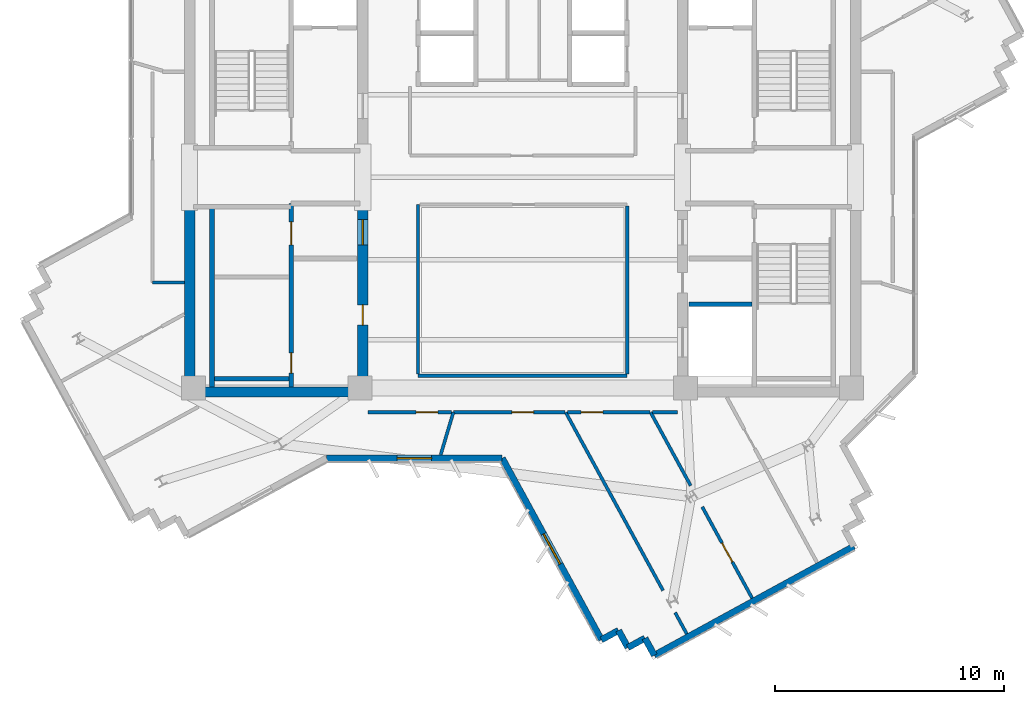
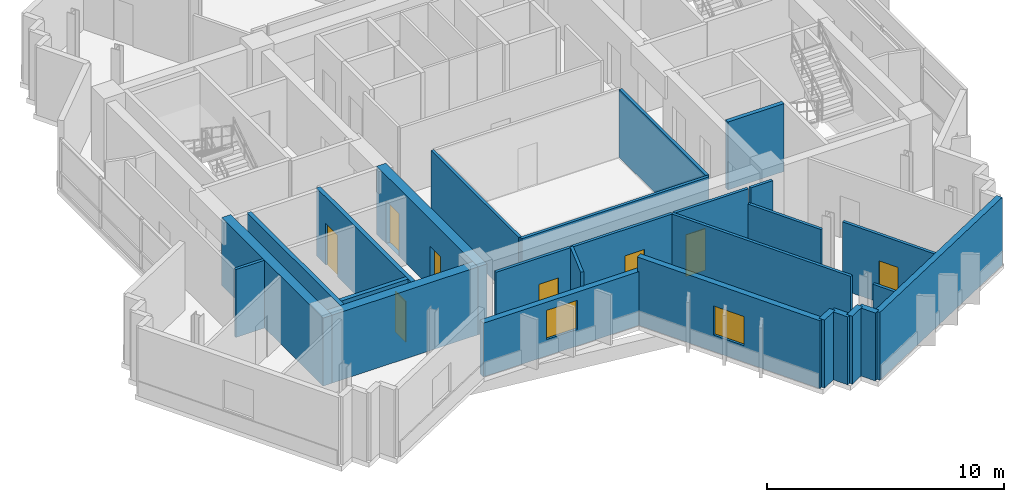
# One storey, part 5 of 13: 27 walls, 8 doors, 2 windows, 10 openings.
"""IFC4 building model written with IfcOpenShell, lengths in metres."""

import ifcopenshell
import ifcopenshell.guid

model = None  # the IFC model being written
_history = None  # IfcOwnerHistory: only IFC2X3 demands one
_inside = {}  # id of a spatial element -> (the spatial element, [elements in it])
_under = {}  # id of a project, library or spatial element -> (it, [spatial elements below it])
_declared = {}  # id of a project -> (the project, [libraries it declares])
_typed = {}  # id of a type object -> (the type object, [elements of that type])
_made_of = {}  # id of a material, layer set ... -> (it, [elements and type objects made of it])


def new_model(schema):
    """Start an empty IFC model of exactly this schema.

    Asked for "IFC4X3", IfcOpenShell would pick the latest addendum, in which some entities
    have other attributes; the version numbers below select the first issue.
    IFC2X3 requires an IfcOwnerHistory on every rooted entity: one is made here for all.
    """
    global model, _history
    if schema == "IFC4X3":
        model = ifcopenshell.file(schema_version=(4, 3, 0, 0))
    else:
        model = ifcopenshell.file(schema=schema)
    _inside.clear()
    _under.clear()
    _declared.clear()
    _typed.clear()
    _made_of.clear()
    _history = None
    if model.schema == "IFC2X3":
        org = make("IfcOrganization", Name="unknown")
        user = make(
            "IfcPersonAndOrganization",
            ThePerson=make("IfcPerson", FamilyName="unknown"),
            TheOrganization=org,
        )
        app = make(
            "IfcApplication",
            ApplicationDeveloper=org,
            Version="unknown",
            ApplicationFullName="unknown",
            ApplicationIdentifier="unknown",
        )
        _history = make(
            "IfcOwnerHistory",
            OwningUser=user,
            OwningApplication=app,
            ChangeAction="ADDED",
            CreationDate=0,
        )
    return model


def make(cls, **values):
    """One entity of the class cls with the attributes given. An attribute that is None is left unset."""
    return model.create_entity(
        cls, **{name: value for name, value in values.items() if value is not None}
    )


def rooted(cls, **values):
    """An entity with a GlobalId (a new one), such as an element, a storey or a relation."""
    return make(cls, GlobalId=ifcopenshell.guid.new(), OwnerHistory=_history, **values)


def si_unit(unit_type, name, prefix=None):
    """IfcSIUnit, for example si_unit("LENGTHUNIT", "METRE", prefix="MILLI")."""
    return make("IfcSIUnit", UnitType=unit_type, Prefix=prefix, Name=name)


def assignment(units):
    """IfcUnitAssignment: the units of a project."""
    return None if units is None else make("IfcUnitAssignment", Units=units)


def point(xyz):
    """IfcCartesianPoint."""
    return None if xyz is None else make("IfcCartesianPoint", Coordinates=xyz)


def direction(xyz):
    """IfcDirection."""
    return None if xyz is None else make("IfcDirection", DirectionRatios=xyz)


def frame(location, z_axis=None, x_axis=None):
    """IfcAxis2Placement3D, a coordinate frame: its origin and axes. An axis left out is left unset."""
    return make(
        "IfcAxis2Placement3D",
        Location=point(location),
        Axis=direction(z_axis),
        RefDirection=direction(x_axis),
    )


def frame_2d(location, x_axis=None):
    """IfcAxis2Placement2D, a coordinate frame in the plane: its origin and x axis."""
    return make(
        "IfcAxis2Placement2D", Location=point(location), RefDirection=direction(x_axis)
    )


def origin():
    """The frame at (0, 0, 0) with its axes left unset."""
    return frame((0.0, 0.0, 0.0))


def place(relative_to, where):
    """IfcLocalPlacement: puts the frame where relative to a parent placement (None: the world)."""
    return make(
        "IfcLocalPlacement", PlacementRelTo=relative_to, RelativePlacement=where
    )


def context(
    kind, dimensions, precision=None, world=None, true_north=None, identifier=None
):
    """IfcGeometricRepresentationContext, for example the 3D "Model" context."""
    return make(
        "IfcGeometricRepresentationContext",
        ContextIdentifier=identifier,
        ContextType=kind,
        CoordinateSpaceDimension=dimensions,
        Precision=precision,
        WorldCoordinateSystem=world,
        TrueNorth=true_north,
    )


def subcontext(parent, identifier, kind, view, scale=None):
    """IfcGeometricRepresentationSubContext, for example "Body" below "Model"."""
    return make(
        "IfcGeometricRepresentationSubContext",
        ContextIdentifier=identifier,
        ContextType=kind,
        ParentContext=parent,
        TargetScale=scale,
        TargetView=view,
    )


def project(units=None, contexts=None):
    """IfcProject with its units and contexts."""
    return rooted(
        "IfcProject",
        Name="project",
        RepresentationContexts=contexts,
        UnitsInContext=assignment(units),
    )


def spatial(cls, under=None, at=None, **own):
    """A site, building, storey or space (cls), placed at a placement, below another one or the project."""
    s = rooted(cls, ObjectPlacement=at, **own)
    if under is not None:
        _under.setdefault(under.id(), (under, []))[1].append(s)
    return s


def profile(cls, at=None, kind="AREA", **sizes):
    """A parametric profile (cls). Its sizes go by their IFC names, for example OverallWidth=200.0."""
    return make(cls, ProfileType=kind, Position=at, **sizes)


def rectangle(**sizes):
    """IfcRectangleProfileDef."""
    return profile("IfcRectangleProfileDef", **sizes)


def extrude(swept, where, along, depth):
    """IfcExtrudedAreaSolid: the profile swept, set in the frame where, extruded along a direction by depth."""
    return make(
        "IfcExtrudedAreaSolid",
        SweptArea=swept,
        Position=where,
        ExtrudedDirection=direction(along),
        Depth=depth,
    )


def shape(context_of_items, identifier, shape_type, items):
    """IfcShapeRepresentation: the items that make up one representation, for example the "Body"."""
    return make(
        "IfcShapeRepresentation",
        ContextOfItems=context_of_items,
        RepresentationIdentifier=identifier,
        RepresentationType=shape_type,
        Items=items,
    )


def source(mapping_origin, context_of_items, identifier, shape_type, items):
    """IfcRepresentationMap: a shape defined once, which mapped items show again and again."""
    return make(
        "IfcRepresentationMap",
        MappingOrigin=mapping_origin,
        MappedRepresentation=shape(context_of_items, identifier, shape_type, items),
    )


def transform(
    local_origin,
    x_axis=None,
    y_axis=None,
    z_axis=None,
    scale=None,
    scale2=None,
    scale3=None,
    uniform=True,
):
    """IfcCartesianTransformationOperator3D, or its non-uniform kind. x_axis, y_axis, z_axis: its Axis1, 2, 3."""
    if uniform:
        return make(
            "IfcCartesianTransformationOperator3D",
            Axis1=direction(x_axis),
            Axis2=direction(y_axis),
            LocalOrigin=point(local_origin),
            Scale=scale,
            Axis3=direction(z_axis),
        )
    return make(
        "IfcCartesianTransformationOperator3DnonUniform",
        Axis1=direction(x_axis),
        Axis2=direction(y_axis),
        LocalOrigin=point(local_origin),
        Scale=scale,
        Axis3=direction(z_axis),
        Scale2=scale2,
        Scale3=scale3,
    )


def mapped(mapping_source, mapping_target):
    """IfcMappedItem: shows the shape of a source again, moved by a transform."""
    return make(
        "IfcMappedItem", MappingSource=mapping_source, MappingTarget=mapping_target
    )


def material(Name=None, Category=None):
    """IfcMaterial."""
    return make("IfcMaterial", Name=Name, Category=Category)


def layer(
    of_material, thickness, ventilated=None, Name=None, Category=None, Priority=None
):
    """IfcMaterialLayer: one layer of a wall or slab, of a material (None: an air gap)."""
    return make(
        "IfcMaterialLayer",
        Material=of_material,
        LayerThickness=thickness,
        IsVentilated=ventilated,
        Name=Name,
        Category=Category,
        Priority=Priority,
    )


def layer_set(layers, Name=None):
    """IfcMaterialLayerSet."""
    return make("IfcMaterialLayerSet", MaterialLayers=layers, LayerSetName=Name)


def made_of(thing, what):
    """Note that an element or type object is made of a material, layer set ...; save() writes the relation."""
    if what is not None:
        _made_of.setdefault(what.id(), (what, []))[1].append(thing)
    return thing


def type_object(cls, material=None, **own):
    """A type object (cls), such as IfcWallType, which elements share."""
    return made_of(rooted(cls, **own), material)


def element(
    cls,
    number,
    at=None,
    inside=None,
    cuts=None,
    type_object=None,
    material=None,
    context=None,
    identifier="Body",
    shape_type=None,
    held_by="IfcProductDefinitionShape",
    body=None,
    shapes=None,
    **own,
):
    """One element of the class cls, such as IfcWall. Its Tag is "e" and its number.

    at: its placement. inside: the storey or other place that contains it. cuts: it is an
    opening in that element (IfcRelVoidsElement). A single representation is given by context,
    identifier, shape_type and body (its items); several are given by shapes. held_by: the class
    of the entity that holds the representations. save() writes the other relations.
    """
    e = rooted(cls, Tag="e%d" % number, ObjectPlacement=at, **own)
    if body is not None:
        shapes = [shape(context, identifier, shape_type, body)]
    if shapes is not None:
        e.Representation = make(held_by, Representations=shapes)
    if inside is not None:
        _inside.setdefault(inside.id(), (inside, []))[1].append(e)
    if cuts is not None:
        rooted(
            "IfcRelVoidsElement", RelatingBuildingElement=cuts, RelatedOpeningElement=e
        )
    if type_object is not None:
        _typed.setdefault(type_object.id(), (type_object, []))[1].append(e)
    return made_of(e, material)


def fill(opening, filler):
    """IfcRelFillsElement: the door or window that sits in an opening."""
    return rooted(
        "IfcRelFillsElement",
        RelatingOpeningElement=opening,
        RelatedBuildingElement=filler,
    )


def aggregate(whole, parts):
    """IfcRelAggregates: a whole, such as a stair, and the parts it consists of."""
    return rooted("IfcRelAggregates", RelatingObject=whole, RelatedObjects=parts)


def save(model, path):
    """Write the relations noted so far, then the file.

    IfcRelAggregates (storeys below a building ...), IfcRelContainedInSpatialStructure (elements
    in a storey), IfcRelDefinesByType, IfcRelAssociatesMaterial and IfcRelDeclares: one each for
    every whole, place, type object, material and project.
    """
    for whole, parts in _under.values():
        aggregate(whole, parts)
    for where, things in _inside.values():
        rooted(
            "IfcRelContainedInSpatialStructure",
            RelatedElements=things,
            RelatingStructure=where,
        )
    for kind, things in _typed.values():
        rooted("IfcRelDefinesByType", RelatedObjects=things, RelatingType=kind)
    for what, things in _made_of.values():
        rooted("IfcRelAssociatesMaterial", RelatedObjects=things, RelatingMaterial=what)
    for by, libraries in _declared.values():
        rooted("IfcRelDeclares", RelatingContext=by, RelatedDefinitions=libraries)
    model.write(path)


model = new_model("IFC4")

# Units and contexts
model_context = context("Model", 3, precision=1e-05, world=origin(), true_north=direction((0.0, 1.0)))
body_context = subcontext(model_context, "Body", "Model", "MODEL_VIEW")
ifc_project = project(units=[si_unit("LENGTHUNIT", "METRE"), si_unit("AREAUNIT", "SQUARE_METRE"), si_unit("VOLUMEUNIT", "CUBIC_METRE"), si_unit("PLANEANGLEUNIT", "RADIAN"), si_unit("MASSUNIT", "GRAM", prefix="KILO")], contexts=[model_context])

# Site, building, storey
site_placement = place(None, origin())
site = spatial("IfcSite", under=ifc_project, at=site_placement, CompositionType="ELEMENT")
building_placement = place(site_placement, origin())
building = spatial("IfcBuilding", under=site, at=building_placement, Name="Zahravan Cultural Tower", CompositionType="ELEMENT")
storey_placement = place(building_placement, frame((0.0, 0.0, 254.10009765625)))
storey = spatial("IfcBuildingStorey", under=building, at=storey_placement, Name="L60", CompositionType="ELEMENT", Elevation=254.10009765625)

# Wall, openings, doors
ifc_material_1 = material(Name="Concrete C50/60", Category="concrete")
ifc_layer_1 = layer(ifc_material_1, 0.449951171875)
ifc_layer_set_1 = layer_set([ifc_layer_1], Name="Concrete C50/60")
wall_type_1 = type_object("IfcWallType", Name="CW-SHEAR-450-C50", PredefinedType="SHEAR", material=ifc_layer_set_1)
wall_1_placement = place(storey_placement, frame((29.02490234375, 17.39990234375, 0.0), z_axis=(0.0, 0.0, 1.0), x_axis=(0.0, 1.0, 0.0)))
wall_1 = element("IfcWall", 1, at=wall_1_placement, inside=storey, type_object=wall_type_1, Name="L60 Core Shear Wall CW-W-ES-L60", PredefinedType="SHEAR", context=body_context, shape_type="SweptSolid", body=[
    extrude(rectangle(XDim=8.550048828125, YDim=0.449951171875, at=frame_2d((4.27490234375, 0.0))), origin(), (0.0, 0.0, 1.0), 3.5),
])
opening_1_placement = place(wall_1_placement, frame((6.64990234375, 0.0, 0.0)))
opening_1 = element("IfcOpeningElement", 2, at=opening_1_placement, cuts=wall_1, Name="Opening D-L60-08", PredefinedType="OPENING", context=body_context, shape_type="SweptSolid", body=[
    extrude(rectangle(XDim=1.10009765625, YDim=2.199951171875, at=frame_2d((0.550048828125, 1.10009765625))), frame((0.0, 0.23486328125, 0.0), z_axis=(0.0, -1.0, 0.0), x_axis=(1.0, 0.0, 0.0)), (0.0, 0.0, 1.0), 0.469970703125),
])
opening_2_placement = place(wall_1_placement, frame((3.14990234375, 0.0, 0.0)))
opening_2 = element("IfcOpeningElement", 3, at=opening_2_placement, cuts=wall_1, Name="Opening D-L60-10", PredefinedType="OPENING", context=body_context, shape_type="SweptSolid", body=[
    extrude(rectangle(XDim=0.8798828125, YDim=2.10009765625, at=frame_2d((0.43994140625, 1.050048828125))), frame((0.0, 0.23486328125, 0.0), z_axis=(0.0, -1.0, 0.0), x_axis=(1.0, 0.0, 0.0)), (0.0, 0.0, 1.0), 0.469970703125),
])
ifc_material_2 = material(Name="Steel ASTM A572 Grade 50", Category="steel")
door_type_1 = type_object("IfcDoorType", Name="DR-LOBBY-1100", OperationType="NOTDEFINED", PredefinedType="DOOR", material=ifc_material_2)
shared_shape_1 = source(origin(), body_context, "Body", "SweptSolid", [
    extrude(rectangle(XDim=1.10009765625, YDim=2.199951171875, at=frame_2d((0.550048828125, 1.10009765625))), frame((0.0, 0.02490234375, 0.0), z_axis=(0.0, -1.0, 0.0), x_axis=(1.0, 0.0, 0.0)), (0.0, 0.0, 1.0), 0.050048828125),
])
door_1_placement = place(opening_1_placement, origin())
door_1 = element("IfcDoor", 4, at=door_1_placement, inside=storey, type_object=door_type_1, Name="L60 Door D-L60-08", OperationType="SINGLE_SWING_RIGHT", OverallHeight=2.199951171875, OverallWidth=1.10009765625, PredefinedType="DOOR", context=body_context, shape_type="MappedRepresentation", body=[
    mapped(shared_shape_1, transform((0.0, 0.0, 0.0), x_axis=(1.0, 0.0, 0.0), y_axis=(0.0, 1.0, 0.0), z_axis=(0.0, 0.0, 1.0), scale=1.0)),
])
fill(opening_1, door_1)
door_type_2 = type_object("IfcDoorType", Name="DR-SVC-880", OperationType="NOTDEFINED", PredefinedType="DOOR", material=ifc_material_2)
shared_shape_2 = source(origin(), body_context, "Body", "SweptSolid", [
    extrude(rectangle(XDim=0.8798828125, YDim=2.10009765625, at=frame_2d((0.43994140625, 1.050048828125))), frame((0.0, 0.02490234375, 0.0), z_axis=(0.0, -1.0, 0.0), x_axis=(1.0, 0.0, 0.0)), (0.0, 0.0, 1.0), 0.050048828125),
])
door_2_placement = place(opening_2_placement, origin())
door_2 = element("IfcDoor", 5, at=door_2_placement, inside=storey, type_object=door_type_2, Name="L60 Door D-L60-10", OperationType="SINGLE_SWING_RIGHT", OverallHeight=2.10009765625, OverallWidth=0.8798828125, PredefinedType="DOOR", context=body_context, shape_type="MappedRepresentation", body=[
    mapped(shared_shape_2, transform((0.0, 0.0, 0.0), x_axis=(1.0, 0.0, 0.0), y_axis=(0.0, 1.0, 0.0), z_axis=(0.0, 0.0, 1.0), scale=1.0)),
])
fill(opening_2, door_2)

# Wall, opening, window
ifc_material_3 = material(Name="Precast concrete C40/50", Category="concrete")
ifc_layer_2 = layer(ifc_material_3, 0.280029296875)
ifc_layer_set_2 = layer_set([ifc_layer_2], Name="Precast concrete C40/50")
wall_type_2 = type_object("IfcWallType", Name="EW-TC-280", PredefinedType="SOLIDWALL", material=ifc_layer_set_2)
wall_2_placement = place(storey_placement, frame((39.437744140625, 6.817138671875, 0.0), z_axis=(0.0, 0.0, 1.0), x_axis=(-0.479475345647, 0.877555350344, 0.0)))
wall_2 = element("IfcWall", 6, at=wall_2_placement, inside=storey, type_object=wall_type_2, Name="L60 Exterior Masonry Frame Wall 23", PredefinedType="SOLIDWALL", context=body_context, shape_type="SweptSolid", body=[
    extrude(rectangle(XDim=9.0283203125, YDim=0.280029296875, at=frame_2d((4.51416015625, 0.0))), origin(), (0.0, 0.0, 1.0), 3.5),
])
opening_3_placement = place(wall_2_placement, frame((3.763916015625, 0.0, 0.85009765625)))
opening_3 = element("IfcOpeningElement", 7, at=opening_3_placement, cuts=wall_2, Name="Opening WN-03", PredefinedType="OPENING", context=body_context, shape_type="SweptSolid", body=[
    extrude(rectangle(XDim=1.5, YDim=1.5, at=frame_2d((0.75, 0.75))), frame((0.0, 0.14990234375, 0.0), z_axis=(0.0, -1.0, 0.0), x_axis=(1.0, 0.0, 0.0)), (0.0, 0.0, 1.0), 0.300048828125),
])
ifc_material_4 = material(Name="Low-E solar-control double glazing", Category="glass")
window_type = type_object("IfcWindowType", Name="WN-REC-1500X1500", PartitioningType="SINGLE_PANEL", PredefinedType="WINDOW", material=ifc_material_4)
shared_shape_3 = source(origin(), body_context, "Body", "SweptSolid", [
    extrude(rectangle(XDim=1.5, YDim=1.5, at=frame_2d((0.75, 0.75))), frame((0.0, 0.030029296875, 0.0), z_axis=(0.0, -1.0, 0.0), x_axis=(1.0, 0.0, 0.0)), (0.0, 0.0, 1.0), 0.06005859375),
])
window_1_placement = place(opening_3_placement, origin())
window_1 = element("IfcWindow", 8, at=window_1_placement, inside=storey, type_object=window_type, Name="L60 Recessed Solar Window 05", OverallHeight=1.5, OverallWidth=1.5, PartitioningType="SINGLE_PANEL", PredefinedType="WINDOW", context=body_context, shape_type="MappedRepresentation", body=[
    mapped(shared_shape_3, transform((0.0, 0.0, 0.0), x_axis=(1.0, 0.0, 0.0), y_axis=(0.0, 1.0, 0.0), z_axis=(0.0, 0.0, 1.0), scale=1.0)),
])
fill(opening_3, window_1)

wall_3_placement = place(storey_placement, frame((35.10888671875, 14.739990234375, 0.0), z_axis=(0.0, 0.0, 1.0), x_axis=(-1.0, 0.0, 0.0)))
wall_3 = element("IfcWall", 9, at=wall_3_placement, inside=storey, type_object=wall_type_2, Name="L60 Exterior Masonry Frame Wall 24", PredefinedType="SOLIDWALL", context=body_context, shape_type="SweptSolid", body=[
    extrude(rectangle(XDim=7.658203125, YDim=0.280029296875, at=frame_2d((3.8291015625, 0.0))), origin(), (0.0, 0.0, 1.0), 2.77197265625),
])
opening_4_placement = place(wall_3_placement, frame((3.0791015625, 0.0, 0.85009765625)))
opening_4 = element("IfcOpeningElement", 10, at=opening_4_placement, cuts=wall_3, Name="Opening WN-03", PredefinedType="OPENING", context=body_context, shape_type="SweptSolid", body=[
    extrude(rectangle(XDim=1.5, YDim=1.5, at=frame_2d((0.75, 0.75))), frame((0.0, 0.14990234375, 0.0), z_axis=(0.0, -1.0, 0.0), x_axis=(1.0, 0.0, 0.0)), (0.0, 0.0, 1.0), 0.300048828125),
])
window_2_placement = place(opening_4_placement, origin())
window_2 = element("IfcWindow", 11, at=window_2_placement, inside=storey, type_object=window_type, Name="L60 Recessed Solar Window 06", OverallHeight=1.5, OverallWidth=1.5, PartitioningType="SINGLE_PANEL", PredefinedType="WINDOW", context=body_context, shape_type="MappedRepresentation", body=[
    mapped(shared_shape_3, transform((0.0, 0.0, 0.0), x_axis=(1.0, 0.0, 0.0), y_axis=(0.0, 1.0, 0.0), z_axis=(0.0, 0.0, 1.0), scale=1.0)),
])
fill(opening_4, window_2)

# Wall, opening, door
ifc_material_5 = material(Name="Gypsum plasterboard partition")
ifc_layer_3 = layer(ifc_material_5, 0.139892578125)
ifc_layer_set_3 = layer_set([ifc_layer_3], Name="Gypsum plasterboard partition")
wall_type_3 = type_object("IfcWallType", Name="W-PART-140", PredefinedType="PARTITIONING", material=ifc_layer_set_3)
wall_4_placement = place(storey_placement, frame((46.01025390625, 8.635986328125, 0.0), z_axis=(0.0, 0.0, 1.0), x_axis=(-0.479410597023, 0.877590724348, 0.0)))
wall_4 = element("IfcWall", 12, at=wall_4_placement, inside=storey, type_object=wall_type_3, Name="L60 Interior Wall 054", PredefinedType="PARTITIONING", context=body_context, shape_type="SweptSolid", body=[
    extrude(rectangle(XDim=4.5322265625, YDim=0.139892578125, at=frame_2d((2.26611328125, 0.0))), origin(), (0.0, 0.0, 1.0), 3.5),
])
opening_5_placement = place(wall_4_placement, frame((1.791015625, 0.0, 0.0)))
opening_5 = element("IfcOpeningElement", 13, at=opening_5_placement, cuts=wall_4, Name="Opening D-L60-27", PredefinedType="OPENING", context=body_context, shape_type="SweptSolid", body=[
    extrude(rectangle(XDim=0.949951171875, YDim=2.14990234375, at=frame_2d((0.47509765625, 1.074951171875))), frame((0.0, 0.079833984375, 0.0), z_axis=(0.0, -1.0, 0.0), x_axis=(1.0, 0.0, 0.0)), (0.0, 0.0, 1.0), 0.159912109375),
])
ifc_material_6 = material(Name="Anodised bronze-aluminium mullion", Category="aluminium")
door_type_3 = type_object("IfcDoorType", Name="DR-ROOM-950", OperationType="NOTDEFINED", PredefinedType="DOOR", material=ifc_material_6)
shared_shape_4 = source(origin(), body_context, "Body", "SweptSolid", [
    extrude(rectangle(XDim=0.949951171875, YDim=2.14990234375, at=frame_2d((0.47509765625, 1.074951171875))), frame((0.0, 0.02490234375, 0.0), z_axis=(0.0, -1.0, 0.0), x_axis=(1.0, 0.0, 0.0)), (0.0, 0.0, 1.0), 0.050048828125),
])
door_3_placement = place(opening_5_placement, origin())
door_3 = element("IfcDoor", 14, at=door_3_placement, inside=storey, type_object=door_type_3, Name="L60 Door D-L60-27", OperationType="SINGLE_SWING_LEFT", OverallHeight=2.14990234375, OverallWidth=0.949951171875, PredefinedType="DOOR", context=body_context, shape_type="MappedRepresentation", body=[
    mapped(shared_shape_4, transform((0.0, 0.0, 0.0), x_axis=(1.0, 0.0, 0.0), y_axis=(0.0, 1.0, 0.0), z_axis=(0.0, 0.0, 1.0), scale=1.0)),
])
fill(opening_5, door_3)

wall_5_placement = place(storey_placement, frame((37.96484375, 16.739990234375, 0.0), z_axis=(0.0, 0.0, 1.0), x_axis=(1.0, 0.0, 0.0)))
wall_5 = element("IfcWall", 15, at=wall_5_placement, inside=storey, type_object=wall_type_3, Name="L60 Interior Wall 061", PredefinedType="PARTITIONING", context=body_context, shape_type="SweptSolid", body=[
    extrude(rectangle(XDim=3.59521484375, YDim=0.139892578125, at=frame_2d((1.797607421875, 0.0))), origin(), (0.0, 0.0, 1.0), 3.5),
])
opening_6_placement = place(wall_5_placement, frame((0.581787109375, 0.0, 0.0)))
opening_6 = element("IfcOpeningElement", 16, at=opening_6_placement, cuts=wall_5, Name="Opening D-L60-23", PredefinedType="OPENING", context=body_context, shape_type="SweptSolid", body=[
    extrude(rectangle(XDim=0.949951171875, YDim=2.14990234375, at=frame_2d((0.47509765625, 1.074951171875))), frame((0.0, 0.079833984375, 0.0), z_axis=(0.0, -1.0, 0.0), x_axis=(1.0, 0.0, 0.0)), (0.0, 0.0, 1.0), 0.159912109375),
])
door_4_placement = place(opening_6_placement, origin())
door_4 = element("IfcDoor", 17, at=door_4_placement, inside=storey, type_object=door_type_3, Name="L60 Door D-L60-23", OperationType="SINGLE_SWING_LEFT", OverallHeight=2.14990234375, OverallWidth=0.949951171875, PredefinedType="DOOR", context=body_context, shape_type="MappedRepresentation", body=[
    mapped(shared_shape_4, transform((0.0, 0.0, 0.0), x_axis=(1.0, 0.0, 0.0), y_axis=(0.0, 1.0, 0.0), z_axis=(0.0, 0.0, 1.0), scale=1.0)),
])
fill(opening_6, door_4)

wall_6_placement = place(storey_placement, frame((32.9775390625, 16.739990234375, 0.0), z_axis=(0.0, 0.0, 1.0), x_axis=(1.0, 0.0, 0.0)))
wall_6 = element("IfcWall", 18, at=wall_6_placement, inside=storey, type_object=wall_type_3, Name="L60 Interior Wall 072", PredefinedType="PARTITIONING", context=body_context, shape_type="SweptSolid", body=[
    extrude(rectangle(XDim=4.879150390625, YDim=0.139892578125, at=frame_2d((2.439453125, 0.0))), origin(), (0.0, 0.0, 1.0), 3.5),
])
opening_7_placement = place(wall_6_placement, frame((2.5537109375, 0.0, 0.0)))
opening_7 = element("IfcOpeningElement", 19, at=opening_7_placement, cuts=wall_6, Name="Opening D-L60-22", PredefinedType="OPENING", context=body_context, shape_type="SweptSolid", body=[
    extrude(rectangle(XDim=0.949951171875, YDim=2.14990234375, at=frame_2d((0.47509765625, 1.074951171875))), frame((0.0, 0.079833984375, 0.0), z_axis=(0.0, -1.0, 0.0), x_axis=(1.0, 0.0, 0.0)), (0.0, 0.0, 1.0), 0.159912109375),
])
door_5_placement = place(opening_7_placement, origin())
door_5 = element("IfcDoor", 20, at=door_5_placement, inside=storey, type_object=door_type_3, Name="L60 Door D-L60-22", OperationType="SINGLE_SWING_RIGHT", OverallHeight=2.14990234375, OverallWidth=0.949951171875, PredefinedType="DOOR", context=body_context, shape_type="MappedRepresentation", body=[
    mapped(shared_shape_4, transform((0.0, 0.0, 0.0), x_axis=(1.0, 0.0, 0.0), y_axis=(0.0, 1.0, 0.0), z_axis=(0.0, 0.0, 1.0), scale=1.0)),
])
fill(opening_7, door_5)

wall_7_placement = place(storey_placement, frame((29.25341796875, 16.7412109375, 0.0), z_axis=(0.0, 0.0, 1.0), x_axis=(0.999999943952, -0.000334806463, 0.0)))
wall_7 = element("IfcWall", 21, at=wall_7_placement, inside=storey, type_object=wall_type_3, Name="L60 Interior Wall 076", PredefinedType="PARTITIONING", context=body_context, shape_type="SweptSolid", body=[
    extrude(rectangle(XDim=3.64599609375, YDim=0.139892578125, at=frame_2d((1.822998046875, 0.0))), origin(), (0.0, 0.0, 1.0), 3.5),
])
opening_8_placement = place(wall_7_placement, frame((2.102783203125, 0.0, 0.0)))
opening_8 = element("IfcOpeningElement", 22, at=opening_8_placement, cuts=wall_7, Name="Opening D-L60-21", PredefinedType="OPENING", context=body_context, shape_type="SweptSolid", body=[
    extrude(rectangle(XDim=0.949951171875, YDim=2.14990234375, at=frame_2d((0.47509765625, 1.074951171875))), frame((0.0, 0.079833984375, 0.0), z_axis=(0.0, -1.0, 0.0), x_axis=(1.0, 0.0, 0.0)), (0.0, 0.0, 1.0), 0.159912109375),
])
door_6_placement = place(opening_8_placement, origin())
door_6 = element("IfcDoor", 23, at=door_6_placement, inside=storey, type_object=door_type_3, Name="L60 Door D-L60-21", OperationType="SINGLE_SWING_LEFT", OverallHeight=2.14990234375, OverallWidth=0.949951171875, PredefinedType="DOOR", context=body_context, shape_type="MappedRepresentation", body=[
    mapped(shared_shape_4, transform((0.0, 0.0, 0.0), x_axis=(1.0, 0.0, 0.0), y_axis=(0.0, 1.0, 0.0), z_axis=(0.0, 0.0, 1.0), scale=1.0)),
])
fill(opening_8, door_6)

# Wall, openings, doors
ifc_material_7 = material(Name="Concrete C45/55", Category="concrete")
ifc_layer_4 = layer(ifc_material_7, 0.199951171875)
ifc_layer_set_4 = layer_set([ifc_layer_4], Name="Concrete C45/55")
wall_type_4 = type_object("IfcWallType", Name="W-SHAFT-200", PredefinedType="SOLIDWALL", material=ifc_layer_set_4)
wall_8_placement = place(storey_placement, frame((25.89990234375, 17.85009765625, 0.0), z_axis=(0.0, 0.0, 1.0), x_axis=(0.0, 1.0, 0.0)))
wall_8 = element("IfcWall", 24, at=wall_8_placement, inside=storey, type_object=wall_type_4, Name="L60 Interior Wall 005", PredefinedType="SOLIDWALL", context=body_context, shape_type="SweptSolid", body=[
    extrude(rectangle(XDim=8.0, YDim=0.199951171875, at=frame_2d((4.0, 0.0))), origin(), (0.0, 0.0, 1.0), 3.5),
])
opening_9_placement = place(wall_8_placement, frame((6.199951171875, 0.0, 0.0)))
opening_9 = element("IfcOpeningElement", 25, at=opening_9_placement, cuts=wall_8, Name="Opening D-L60-04", PredefinedType="OPENING", context=body_context, shape_type="SweptSolid", body=[
    extrude(rectangle(XDim=1.0, YDim=2.14990234375, at=frame_2d((0.5, 1.074951171875))), frame((0.0, 0.10986328125, 0.0), z_axis=(0.0, -1.0, 0.0), x_axis=(1.0, 0.0, 0.0)), (0.0, 0.0, 1.0), 0.219970703125),
])
opening_10_placement = place(wall_8_placement, frame((0.60009765625, 0.0, 0.0)))
opening_10 = element("IfcOpeningElement", 26, at=opening_10_placement, cuts=wall_8, Name="Opening D-L60-05", PredefinedType="OPENING", context=body_context, shape_type="SweptSolid", body=[
    extrude(rectangle(XDim=0.8798828125, YDim=2.10009765625, at=frame_2d((0.43994140625, 1.050048828125))), frame((0.0, 0.10986328125, 0.0), z_axis=(0.0, -1.0, 0.0), x_axis=(1.0, 0.0, 0.0)), (0.0, 0.0, 1.0), 0.219970703125),
])
door_7_placement = place(opening_10_placement, origin())
door_7 = element("IfcDoor", 27, at=door_7_placement, inside=storey, type_object=door_type_2, Name="L60 Door D-L60-05", OperationType="SINGLE_SWING_LEFT", OverallHeight=2.10009765625, OverallWidth=0.8798828125, PredefinedType="DOOR", context=body_context, shape_type="MappedRepresentation", body=[
    mapped(shared_shape_2, transform((0.0, 0.0, 0.0), x_axis=(1.0, 0.0, 0.0), y_axis=(0.0, 1.0, 0.0), z_axis=(0.0, 0.0, 1.0), scale=1.0)),
])
fill(opening_10, door_7)
door_type_4 = type_object("IfcDoorType", Name="DR-COMP-1000", OperationType="NOTDEFINED", PredefinedType="DOOR", material=ifc_material_2)
shared_shape_5 = source(origin(), body_context, "Body", "SweptSolid", [
    extrude(rectangle(XDim=1.0, YDim=2.14990234375, at=frame_2d((0.5, 1.074951171875))), frame((0.0, 0.02490234375, 0.0), z_axis=(0.0, -1.0, 0.0), x_axis=(1.0, 0.0, 0.0)), (0.0, 0.0, 1.0), 0.050048828125),
])
door_8_placement = place(opening_9_placement, origin())
door_8 = element("IfcDoor", 28, at=door_8_placement, inside=storey, type_object=door_type_4, Name="L60 Door D-L60-04", OperationType="SINGLE_SWING_RIGHT", OverallHeight=2.14990234375, OverallWidth=1.0, PredefinedType="DOOR", context=body_context, shape_type="MappedRepresentation", body=[
    mapped(shared_shape_5, transform((0.0, 0.0, 0.0), x_axis=(1.0, 0.0, 0.0), y_axis=(0.0, 1.0, 0.0), z_axis=(0.0, 0.0, 1.0), scale=1.0)),
])
fill(opening_9, door_8)

# Walls
shared_shape_6 = source(origin(), body_context, "Body", "SweptSolid", [
    extrude(rectangle(XDim=8.550048828125, YDim=0.449951171875, at=frame_2d((4.27490234375, 0.0))), origin(), (0.0, 0.0, 1.0), 3.5),
])
wall_9_placement = place(storey_placement, frame((21.47509765625, 17.39990234375, 0.0), z_axis=(0.0, 0.0, 1.0), x_axis=(0.0, 1.0, 0.0)))
element("IfcWall", 29, at=wall_9_placement, inside=storey, type_object=wall_type_1, Name="L60 Core Shear Wall CW-W-WS-L60", PredefinedType="SHEAR", context=body_context, shape_type="MappedRepresentation", body=[
    mapped(shared_shape_6, transform((0.0, 0.0, 0.0), x_axis=(1.0, 0.0, 0.0), y_axis=(0.0, 1.0, 0.0), z_axis=(0.0, 0.0, 1.0), scale=1.0)),
])
shared_shape_7 = source(origin(), body_context, "Body", "SweptSolid", [
    extrude(rectangle(XDim=7.10009765625, YDim=0.449951171875, at=frame_2d((3.550048828125, 0.0))), origin(), (0.0, 0.0, 1.0), 3.5),
])
wall_10_placement = place(storey_placement, frame((21.699951171875, 17.625, 0.0), z_axis=(0.0, 0.0, 1.0), x_axis=(1.0, 0.0, 0.0)))
element("IfcWall", 30, at=wall_10_placement, inside=storey, type_object=wall_type_1, Name="L60 Core Shear Wall CW-W-S-L60", PredefinedType="SHEAR", context=body_context, shape_type="MappedRepresentation", body=[
    mapped(shared_shape_7, transform((0.0, 0.0, 0.0), x_axis=(1.0, 0.0, 0.0), y_axis=(0.0, 1.0, 0.0), z_axis=(0.0, 0.0, 1.0), scale=1.0)),
])
shared_shape_8 = source(origin(), body_context, "Body", "SweptSolid", [
    extrude(rectangle(XDim=0.85009765625, YDim=0.280029296875, at=frame_2d((0.425048828125, 0.0))), origin(), (0.0, 0.0, 1.0), 3.5),
])
wall_11_placement = place(storey_placement, frame((40.59130859375, 6.478759765625, 0.0), z_axis=(0.0, 0.0, 1.0), x_axis=(-0.479656876283, 0.877456141943, 0.0)))
element("IfcWall", 31, at=wall_11_placement, inside=storey, type_object=wall_type_2, Name="L60 Exterior Masonry Frame Wall 21", PredefinedType="SOLIDWALL", context=body_context, shape_type="MappedRepresentation", body=[
    mapped(shared_shape_8, transform((0.0, 0.0, 0.0), x_axis=(1.0, 0.0, 0.0), y_axis=(0.0, 1.0, 0.0), z_axis=(0.0, 0.0, 1.0), scale=1.0)),
])
shared_shape_9 = source(origin(), body_context, "Body", "SweptSolid", [
    extrude(rectangle(XDim=0.849853515625, YDim=0.280029296875, at=frame_2d((0.4248046875, 0.0))), origin(), (0.0, 0.0, 1.0), 3.5),
])
for number, where, z_axis, x_axis, name in (
    (32, (41.74462890625, 6.140380859375, 0.0), (0.0, 0.0, 1.0), (-0.479435691737, 0.877577015132, 0.0), "L60 Exterior Masonry Frame Wall 19"),
    (33, (41.337158203125, 6.88623046875, 0.0), (0.0, 0.0, 1.0), (-0.877577015132, -0.479435691737, 0.0), "L60 Exterior Masonry Frame Wall 20"),
    (34, (40.18359375, 7.224609375, 0.0), (0.0, 0.0, 1.0), (-0.877577015132, -0.479435691737, 0.0), "L60 Exterior Masonry Frame Wall 22"),
):
    element("IfcWall", number, at=place(storey_placement, frame(where, z_axis=z_axis, x_axis=x_axis)), inside=storey, type_object=wall_type_2, Name=name, PredefinedType="SOLIDWALL", context=body_context, shape_type="MappedRepresentation", body=[
        mapped(shared_shape_9, transform((0.0, 0.0, 0.0), x_axis=(1.0, 0.0, 0.0), y_axis=(0.0, 1.0, 0.0), z_axis=(0.0, 0.0, 1.0), scale=1.0)),
    ])
shared_shape_10 = source(origin(), body_context, "Body", "SweptSolid", [
    extrude(rectangle(XDim=9.920166015625, YDim=0.280029296875, at=frame_2d((4.9599609375, 0.0))), origin(), (0.0, 0.0, 1.0), 3.5),
])
wall_12_placement = place(storey_placement, frame((50.4501953125, 10.896484375, 0.0), z_axis=(0.0, 0.0, 1.0), x_axis=(-0.877572768104, -0.479443465574, 0.0)))
element("IfcWall", 35, at=wall_12_placement, inside=storey, type_object=wall_type_2, Name="L60 Exterior Masonry Frame Wall 18", PredefinedType="SOLIDWALL", context=body_context, shape_type="MappedRepresentation", body=[
    mapped(shared_shape_10, transform((0.0, 0.0, 0.0), x_axis=(1.0, 0.0, 0.0), y_axis=(0.0, 1.0, 0.0), z_axis=(0.0, 0.0, 1.0), scale=1.0)),
])
shared_shape_11 = source(origin(), body_context, "Body", "SweptSolid", [
    extrude(rectangle(XDim=7.869873046875, YDim=0.199951171875, at=frame_2d((3.93505859375, 0.0))), origin(), (0.0, 0.0, 1.0), 3.5),
])
wall_13_placement = place(storey_placement, frame((22.449951171875, 17.85009765625, 0.0), z_axis=(0.0, 0.0, 1.0), x_axis=(0.0, 1.0, 0.0)))
element("IfcWall", 36, at=wall_13_placement, inside=storey, type_object=wall_type_4, Name="L60 Interior Wall 001", PredefinedType="SOLIDWALL", context=body_context, shape_type="MappedRepresentation", body=[
    mapped(shared_shape_11, transform((0.0, 0.0, 0.0), x_axis=(1.0, 0.0, 0.0), y_axis=(0.0, 1.0, 0.0), z_axis=(0.0, 0.0, 1.0), scale=1.0)),
])
shared_shape_12 = source(origin(), body_context, "Body", "SweptSolid", [
    extrude(rectangle(XDim=3.25, YDim=0.199951171875, at=frame_2d((1.625, 0.0))), origin(), (0.0, 0.0, 1.0), 3.5),
])
wall_14_placement = place(storey_placement, frame((22.550048828125, 18.199951171875, 0.0), z_axis=(0.0, 0.0, 1.0), x_axis=(1.0, 0.0, 0.0)))
element("IfcWall", 37, at=wall_14_placement, inside=storey, type_object=wall_type_4, Name="L60 Interior Wall 019", PredefinedType="SOLIDWALL", context=body_context, shape_type="MappedRepresentation", body=[
    mapped(shared_shape_12, transform((0.0, 0.0, 0.0), x_axis=(1.0, 0.0, 0.0), y_axis=(0.0, 1.0, 0.0), z_axis=(0.0, 0.0, 1.0), scale=1.0)),
])
shared_shape_13 = source(origin(), body_context, "Body", "SweptSolid", [
    extrude(rectangle(XDim=2.75, YDim=0.199951171875, at=frame_2d((1.375, 0.0))), origin(), (0.0, 0.0, 1.0), 3.5),
])
wall_15_placement = place(storey_placement, frame((43.25, 21.449951171875, 0.0), z_axis=(0.0, 0.0, 1.0), x_axis=(1.0, 0.0, 0.0)))
element("IfcWall", 38, at=wall_15_placement, inside=storey, type_object=wall_type_4, Name="L60 Interior Wall 026", PredefinedType="SOLIDWALL", context=body_context, shape_type="MappedRepresentation", body=[
    mapped(shared_shape_13, transform((0.0, 0.0, 0.0), x_axis=(1.0, 0.0, 0.0), y_axis=(0.0, 1.0, 0.0), z_axis=(0.0, 0.0, 1.0), scale=1.0)),
])
shared_shape_14 = source(origin(), body_context, "Body", "SweptSolid", [
    extrude(rectangle(XDim=3.64306640625, YDim=0.139892578125, at=frame_2d((1.821533203125, 0.0))), origin(), (0.0, 0.0, 1.0), 2.712890625),
])
wall_16_placement = place(storey_placement, frame((43.32958984375, 13.542724609375, 0.0), z_axis=(0.0, 0.0, 1.0), x_axis=(-0.479434255723, 0.87757779965, 0.0)))
element("IfcWall", 39, at=wall_16_placement, inside=storey, type_object=wall_type_3, Name="L60 Interior Wall 055", PredefinedType="PARTITIONING", context=body_context, shape_type="MappedRepresentation", body=[
    mapped(shared_shape_14, transform((0.0, 0.0, 0.0), x_axis=(1.0, 0.0, 0.0), y_axis=(0.0, 1.0, 0.0), z_axis=(0.0, 0.0, 1.0), scale=1.0)),
])
shared_shape_15 = source(origin(), body_context, "Body", "SweptSolid", [
    extrude(rectangle(XDim=1.080078125, YDim=0.139892578125, at=frame_2d((0.5400390625, 0.0))), origin(), (0.0, 0.0, 1.0), 3.5),
])
wall_17_placement = place(storey_placement, frame((41.668212890625, 16.739990234375, 0.0), z_axis=(0.0, 0.0, 1.0), x_axis=(0.999996908828, 0.002486429927, 0.0)))
element("IfcWall", 40, at=wall_17_placement, inside=storey, type_object=wall_type_3, Name="L60 Interior Wall 056", PredefinedType="PARTITIONING", context=body_context, shape_type="MappedRepresentation", body=[
    mapped(shared_shape_15, transform((0.0, 0.0, 0.0), x_axis=(1.0, 0.0, 0.0), y_axis=(0.0, 1.0, 0.0), z_axis=(0.0, 0.0, 1.0), scale=1.0)),
])
shared_shape_16 = source(origin(), body_context, "Body", "SweptSolid", [
    extrude(rectangle(XDim=8.858642578125, YDim=0.139892578125, at=frame_2d((4.42919921875, 0.0))), origin(), (0.0, 0.0, 1.0), 3.5),
])
wall_18_placement = place(storey_placement, frame((42.126708984375, 8.9658203125, 0.0), z_axis=(0.0, 0.0, 1.0), x_axis=(-0.479448669569, 0.877569924991, 0.0)))
element("IfcWall", 41, at=wall_18_placement, inside=storey, type_object=wall_type_3, Name="L60 Interior Wall 060", PredefinedType="PARTITIONING", context=body_context, shape_type="MappedRepresentation", body=[
    mapped(shared_shape_16, transform((0.0, 0.0, 0.0), x_axis=(1.0, 0.0, 0.0), y_axis=(0.0, 1.0, 0.0), z_axis=(0.0, 0.0, 1.0), scale=1.0)),
])
shared_shape_17 = source(origin(), body_context, "Body", "SweptSolid", [
    extrude(rectangle(XDim=1.05712890625, YDim=0.139892578125, at=frame_2d((0.528564453125, 0.0))), origin(), (0.0, 0.0, 1.0), 3.5),
])
wall_19_placement = place(storey_placement, frame((43.158203125, 7.077880859375, 0.0), z_axis=(0.0, 0.0, 1.0), x_axis=(-0.479434527366, 0.877577651248, 0.0)))
element("IfcWall", 42, at=wall_19_placement, inside=storey, type_object=wall_type_3, Name="L60 Interior Wall 062", PredefinedType="PARTITIONING", context=body_context, shape_type="MappedRepresentation", body=[
    mapped(shared_shape_17, transform((0.0, 0.0, 0.0), x_axis=(1.0, 0.0, 0.0), y_axis=(0.0, 1.0, 0.0), z_axis=(0.0, 0.0, 1.0), scale=1.0)),
])
shared_shape_18 = source(origin(), body_context, "Body", "SweptSolid", [
    extrude(rectangle(XDim=1.38916015625, YDim=0.139892578125, at=frame_2d((0.694580078125, 0.0))), origin(), (0.0, 0.0, 1.0), 3.5),
])
wall_20_placement = place(storey_placement, frame((19.85595703125, 22.39990234375, 0.0), z_axis=(0.0, 0.0, 1.0), x_axis=(1.0, 0.0, 0.0)))
element("IfcWall", 43, at=wall_20_placement, inside=storey, type_object=wall_type_3, Name="L60 Interior Wall 065", PredefinedType="PARTITIONING", context=body_context, shape_type="MappedRepresentation", body=[
    mapped(shared_shape_18, transform((0.0, 0.0, 0.0), x_axis=(1.0, 0.0, 0.0), y_axis=(0.0, 1.0, 0.0), z_axis=(0.0, 0.0, 1.0), scale=1.0)),
])
shared_shape_19 = source(origin(), body_context, "Body", "SweptSolid", [
    extrude(rectangle(XDim=1.935791015625, YDim=0.139892578125, at=frame_2d((0.9677734375, 0.0))), origin(), (0.0, 0.0, 1.0), 3.5),
])
wall_21_placement = place(storey_placement, frame((32.423828125, 14.885009765625, 0.0), z_axis=(0.0, 0.0, 1.0), x_axis=(0.286028613148, 0.958221077028, 0.0)))
element("IfcWall", 44, at=wall_21_placement, inside=storey, type_object=wall_type_3, Name="L60 Interior Wall 073", PredefinedType="PARTITIONING", context=body_context, shape_type="MappedRepresentation", body=[
    mapped(shared_shape_19, transform((0.0, 0.0, 0.0), x_axis=(1.0, 0.0, 0.0), y_axis=(0.0, 1.0, 0.0), z_axis=(0.0, 0.0, 1.0), scale=1.0)),
])
shared_shape_20 = source(origin(), body_context, "Body", "SweptSolid", [
    extrude(rectangle(XDim=9.1201171875, YDim=0.139892578125, at=frame_2d((4.56005859375, 0.0))), origin(), (0.0, 0.0, 1.0), 3.5),
])
wall_22_placement = place(storey_placement, frame((40.56005859375, 18.340087890625, 0.0), z_axis=(0.0, 0.0, 1.0), x_axis=(-1.0, 0.0, 0.0)))
element("IfcWall", 45, at=wall_22_placement, inside=storey, type_object=wall_type_3, Name="L60 Interior Wall 081", PredefinedType="PARTITIONING", context=body_context, shape_type="MappedRepresentation", body=[
    mapped(shared_shape_20, transform((0.0, 0.0, 0.0), x_axis=(1.0, 0.0, 0.0), y_axis=(0.0, 1.0, 0.0), z_axis=(0.0, 0.0, 1.0), scale=1.0)),
])
shared_shape_21 = source(origin(), body_context, "Body", "SweptSolid", [
    extrude(rectangle(XDim=7.39501953125, YDim=0.139892578125, at=frame_2d((3.697509765625, 0.0))), origin(), (0.0, 0.0, 1.0), 3.5),
])
wall_23_placement = place(storey_placement, frame((31.43994140625, 18.4150390625, 0.0), z_axis=(0.0, 0.0, 1.0), x_axis=(0.0, 1.0, 0.0)))
element("IfcWall", 46, at=wall_23_placement, inside=storey, type_object=wall_type_3, Name="L60 Interior Wall 082", PredefinedType="PARTITIONING", context=body_context, shape_type="MappedRepresentation", body=[
    mapped(shared_shape_21, transform((0.0, 0.0, 0.0), x_axis=(1.0, 0.0, 0.0), y_axis=(0.0, 1.0, 0.0), z_axis=(0.0, 0.0, 1.0), scale=1.0)),
])
shared_shape_22 = source(origin(), body_context, "Body", "SweptSolid", [
    extrude(rectangle(XDim=7.320068359375, YDim=0.139892578125, at=frame_2d((3.66015625, 0.0))), origin(), (0.0, 0.0, 1.0), 3.5),
])
wall_24_placement = place(storey_placement, frame((40.56005859375, 25.735107421875, 0.0), z_axis=(0.0, 0.0, 1.0), x_axis=(0.0, -1.0, 0.0)))
element("IfcWall", 47, at=wall_24_placement, inside=storey, type_object=wall_type_3, Name="L60 Interior Wall 084", PredefinedType="PARTITIONING", context=body_context, shape_type="MappedRepresentation", body=[
    mapped(shared_shape_22, transform((0.0, 0.0, 0.0), x_axis=(1.0, 0.0, 0.0), y_axis=(0.0, 1.0, 0.0), z_axis=(0.0, 0.0, 1.0), scale=1.0)),
])

save(model, "model.ifc")
